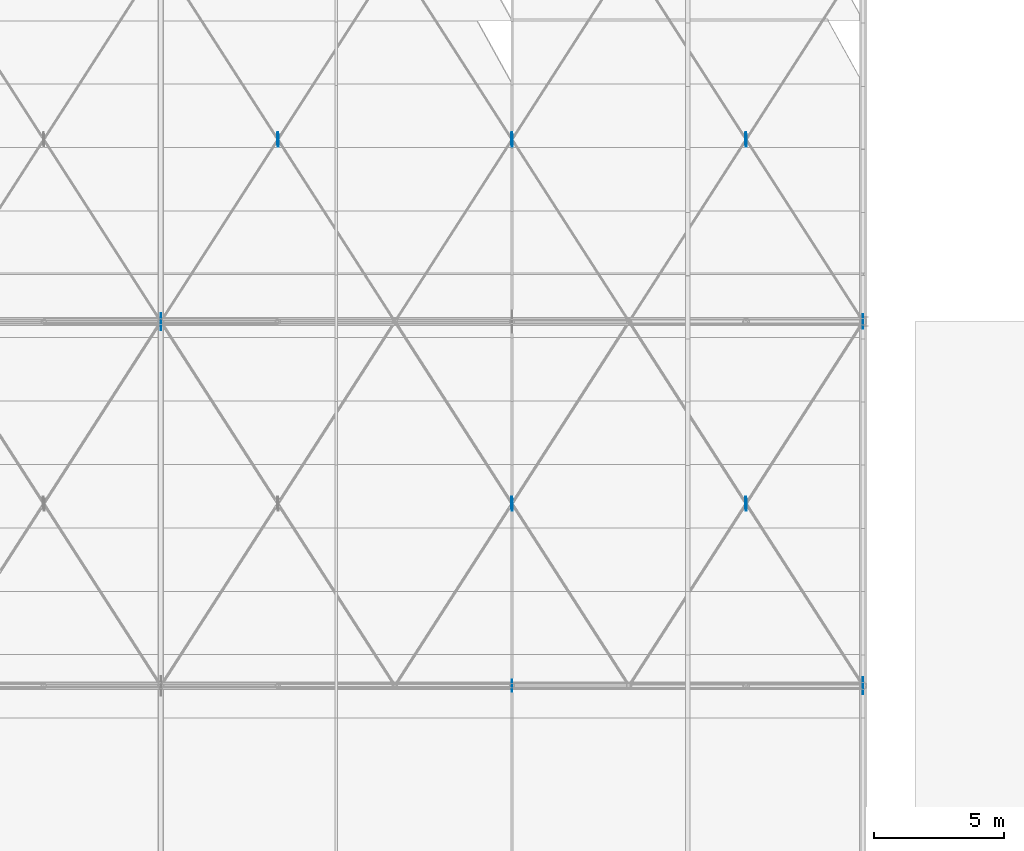
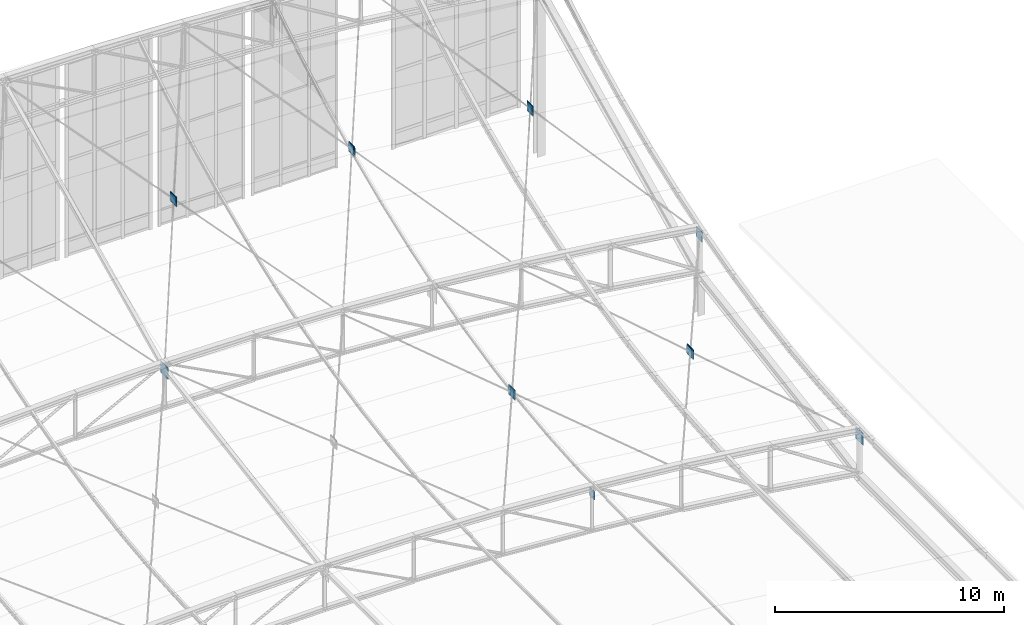
# One storey, part 257 of 262: 19 plates.
"""IFC4 building model written with IfcOpenShell, lengths in metres."""

import ifcopenshell
import ifcopenshell.guid

model = None  # the IFC model being written
_history = None  # IfcOwnerHistory: only IFC2X3 demands one
_inside = {}  # id of a spatial element -> (the spatial element, [elements in it])
_under = {}  # id of a project, library or spatial element -> (it, [spatial elements below it])
_declared = {}  # id of a project -> (the project, [libraries it declares])
_typed = {}  # id of a type object -> (the type object, [elements of that type])
_made_of = {}  # id of a material, layer set ... -> (it, [elements and type objects made of it])


def new_model(schema):
    """Start an empty IFC model of exactly this schema.

    Asked for "IFC4X3", IfcOpenShell would pick the latest addendum, in which some entities
    have other attributes; the version numbers below select the first issue.
    IFC2X3 requires an IfcOwnerHistory on every rooted entity: one is made here for all.
    """
    global model, _history
    if schema == "IFC4X3":
        model = ifcopenshell.file(schema_version=(4, 3, 0, 0))
    else:
        model = ifcopenshell.file(schema=schema)
    _inside.clear()
    _under.clear()
    _declared.clear()
    _typed.clear()
    _made_of.clear()
    _history = None
    if model.schema == "IFC2X3":
        org = make("IfcOrganization", Name="unknown")
        user = make(
            "IfcPersonAndOrganization",
            ThePerson=make("IfcPerson", FamilyName="unknown"),
            TheOrganization=org,
        )
        app = make(
            "IfcApplication",
            ApplicationDeveloper=org,
            Version="unknown",
            ApplicationFullName="unknown",
            ApplicationIdentifier="unknown",
        )
        _history = make(
            "IfcOwnerHistory",
            OwningUser=user,
            OwningApplication=app,
            ChangeAction="ADDED",
            CreationDate=0,
        )
    return model


def make(cls, **values):
    """One entity of the class cls with the attributes given. An attribute that is None is left unset."""
    return model.create_entity(
        cls, **{name: value for name, value in values.items() if value is not None}
    )


def rooted(cls, **values):
    """An entity with a GlobalId (a new one), such as an element, a storey or a relation."""
    return make(cls, GlobalId=ifcopenshell.guid.new(), OwnerHistory=_history, **values)


def si_unit(unit_type, name, prefix=None):
    """IfcSIUnit, for example si_unit("LENGTHUNIT", "METRE", prefix="MILLI")."""
    return make("IfcSIUnit", UnitType=unit_type, Prefix=prefix, Name=name)


def derived_unit(unit_type, elements):
    """IfcDerivedUnit: a product of units, each with its exponent."""
    return make(
        "IfcDerivedUnit",
        Elements=[
            make("IfcDerivedUnitElement", Unit=unit, Exponent=power)
            for unit, power in elements
        ],
        UnitType=unit_type,
    )


def assignment(units):
    """IfcUnitAssignment: the units of a project."""
    return None if units is None else make("IfcUnitAssignment", Units=units)


def point(xyz):
    """IfcCartesianPoint."""
    return None if xyz is None else make("IfcCartesianPoint", Coordinates=xyz)


def direction(xyz):
    """IfcDirection."""
    return None if xyz is None else make("IfcDirection", DirectionRatios=xyz)


def frame(location, z_axis=None, x_axis=None):
    """IfcAxis2Placement3D, a coordinate frame: its origin and axes. An axis left out is left unset."""
    return make(
        "IfcAxis2Placement3D",
        Location=point(location),
        Axis=direction(z_axis),
        RefDirection=direction(x_axis),
    )


def frame_2d(location, x_axis=None):
    """IfcAxis2Placement2D, a coordinate frame in the plane: its origin and x axis."""
    return make(
        "IfcAxis2Placement2D", Location=point(location), RefDirection=direction(x_axis)
    )


def origin():
    """The frame at (0, 0, 0) with its axes left unset."""
    return frame((0.0, 0.0, 0.0))


def origin_2d():
    """The frame at (0, 0) in the plane with its x axis left unset."""
    return frame_2d((0.0, 0.0))


def place(relative_to, where):
    """IfcLocalPlacement: puts the frame where relative to a parent placement (None: the world)."""
    return make(
        "IfcLocalPlacement", PlacementRelTo=relative_to, RelativePlacement=where
    )


def context(
    kind, dimensions, precision=None, world=None, true_north=None, identifier=None
):
    """IfcGeometricRepresentationContext, for example the 3D "Model" context."""
    return make(
        "IfcGeometricRepresentationContext",
        ContextIdentifier=identifier,
        ContextType=kind,
        CoordinateSpaceDimension=dimensions,
        Precision=precision,
        WorldCoordinateSystem=world,
        TrueNorth=true_north,
    )


def subcontext(parent, identifier, kind, view, scale=None):
    """IfcGeometricRepresentationSubContext, for example "Body" below "Model"."""
    return make(
        "IfcGeometricRepresentationSubContext",
        ContextIdentifier=identifier,
        ContextType=kind,
        ParentContext=parent,
        TargetScale=scale,
        TargetView=view,
    )


def project(units=None, contexts=None):
    """IfcProject with its units and contexts."""
    return rooted(
        "IfcProject",
        Name="project",
        RepresentationContexts=contexts,
        UnitsInContext=assignment(units),
    )


def spatial(cls, under=None, at=None, **own):
    """A site, building, storey or space (cls), placed at a placement, below another one or the project."""
    s = rooted(cls, ObjectPlacement=at, **own)
    if under is not None:
        _under.setdefault(under.id(), (under, []))[1].append(s)
    return s


def profile(cls, at=None, kind="AREA", **sizes):
    """A parametric profile (cls). Its sizes go by their IFC names, for example OverallWidth=200.0."""
    return make(cls, ProfileType=kind, Position=at, **sizes)


def rectangle(**sizes):
    """IfcRectangleProfileDef."""
    return profile("IfcRectangleProfileDef", **sizes)


def extrude(swept, where, along, depth):
    """IfcExtrudedAreaSolid: the profile swept, set in the frame where, extruded along a direction by depth."""
    return make(
        "IfcExtrudedAreaSolid",
        SweptArea=swept,
        Position=where,
        ExtrudedDirection=direction(along),
        Depth=depth,
    )


def shape(context_of_items, identifier, shape_type, items):
    """IfcShapeRepresentation: the items that make up one representation, for example the "Body"."""
    return make(
        "IfcShapeRepresentation",
        ContextOfItems=context_of_items,
        RepresentationIdentifier=identifier,
        RepresentationType=shape_type,
        Items=items,
    )


def material(Name=None, Category=None):
    """IfcMaterial."""
    return make("IfcMaterial", Name=Name, Category=Category)


def layer(
    of_material, thickness, ventilated=None, Name=None, Category=None, Priority=None
):
    """IfcMaterialLayer: one layer of a wall or slab, of a material (None: an air gap)."""
    return make(
        "IfcMaterialLayer",
        Material=of_material,
        LayerThickness=thickness,
        IsVentilated=ventilated,
        Name=Name,
        Category=Category,
        Priority=Priority,
    )


def layer_set(layers, Name=None):
    """IfcMaterialLayerSet."""
    return make("IfcMaterialLayerSet", MaterialLayers=layers, LayerSetName=Name)


def made_of(thing, what):
    """Note that an element or type object is made of a material, layer set ...; save() writes the relation."""
    if what is not None:
        _made_of.setdefault(what.id(), (what, []))[1].append(thing)
    return thing


def type_object(cls, material=None, **own):
    """A type object (cls), such as IfcWallType, which elements share."""
    return made_of(rooted(cls, **own), material)


def element(
    cls,
    number,
    at=None,
    inside=None,
    cuts=None,
    type_object=None,
    material=None,
    context=None,
    identifier="Body",
    shape_type=None,
    held_by="IfcProductDefinitionShape",
    body=None,
    shapes=None,
    **own,
):
    """One element of the class cls, such as IfcWall. Its Tag is "e" and its number.

    at: its placement. inside: the storey or other place that contains it. cuts: it is an
    opening in that element (IfcRelVoidsElement). A single representation is given by context,
    identifier, shape_type and body (its items); several are given by shapes. held_by: the class
    of the entity that holds the representations. save() writes the other relations.
    """
    e = rooted(cls, Tag="e%d" % number, ObjectPlacement=at, **own)
    if body is not None:
        shapes = [shape(context, identifier, shape_type, body)]
    if shapes is not None:
        e.Representation = make(held_by, Representations=shapes)
    if inside is not None:
        _inside.setdefault(inside.id(), (inside, []))[1].append(e)
    if cuts is not None:
        rooted(
            "IfcRelVoidsElement", RelatingBuildingElement=cuts, RelatedOpeningElement=e
        )
    if type_object is not None:
        _typed.setdefault(type_object.id(), (type_object, []))[1].append(e)
    return made_of(e, material)


def aggregate(whole, parts):
    """IfcRelAggregates: a whole, such as a stair, and the parts it consists of."""
    return rooted("IfcRelAggregates", RelatingObject=whole, RelatedObjects=parts)


def save(model, path):
    """Write the relations noted so far, then the file.

    IfcRelAggregates (storeys below a building ...), IfcRelContainedInSpatialStructure (elements
    in a storey), IfcRelDefinesByType, IfcRelAssociatesMaterial and IfcRelDeclares: one each for
    every whole, place, type object, material and project.
    """
    for whole, parts in _under.values():
        aggregate(whole, parts)
    for where, things in _inside.values():
        rooted(
            "IfcRelContainedInSpatialStructure",
            RelatedElements=things,
            RelatingStructure=where,
        )
    for kind, things in _typed.values():
        rooted("IfcRelDefinesByType", RelatedObjects=things, RelatingType=kind)
    for what, things in _made_of.values():
        rooted("IfcRelAssociatesMaterial", RelatedObjects=things, RelatingMaterial=what)
    for by, libraries in _declared.values():
        rooted("IfcRelDeclares", RelatingContext=by, RelatedDefinitions=libraries)
    model.write(path)


model = new_model("IFC4")

# Units and contexts
model_context = context("Model", 3, precision=1e-05, world=origin(), true_north=direction((0.0, 1.0)))
body_context = subcontext(model_context, "Body", "Model", "MODEL_VIEW")
ifc_project = project(units=[si_unit("LENGTHUNIT", "METRE"), si_unit("AREAUNIT", "SQUARE_METRE"), si_unit("VOLUMEUNIT", "CUBIC_METRE"), si_unit("PLANEANGLEUNIT", "RADIAN"), si_unit("MASSUNIT", "GRAM", prefix="KILO"), derived_unit("THERMALTRANSMITTANCEUNIT", [(si_unit("POWERUNIT", "WATT"), 1), (si_unit("LENGTHUNIT", "METRE"), -2), (si_unit("THERMODYNAMICTEMPERATUREUNIT", "KELVIN"), -1)])], contexts=[model_context])

# Site, building, storey
site_placement = place(None, origin())
site = spatial("IfcSite", under=ifc_project, at=site_placement, CompositionType="ELEMENT")
building_placement = place(site_placement, origin())
building = spatial("IfcBuilding", under=site, at=building_placement, Name="Almenara Railside Exhibition Hall", CompositionType="ELEMENT")
storey_placement = place(building_placement, frame((0.0, 0.0, 21.699951171875)))
storey = spatial("IfcBuildingStorey", under=building, at=storey_placement, Name="RF", CompositionType="ELEMENT", Elevation=21.699951171875)

# Plates
ifc_material = material(Name="Structural steel S355JR", Category="steel")
ifc_layer_1 = layer(ifc_material, 0.011962890625, Name="Structural steel S355JR")
ifc_layer_set_1 = layer_set([ifc_layer_1], Name="Structural steel S355JR")
plate_type_1 = type_object("IfcPlateType", Name="Truss Node Gusset Plate 12mm S355JR", PredefinedType="USERDEFINED", material=ifc_layer_set_1)
for number, where, z_axis, x_axis, name in (
    (1, (178.5, 104.0, -6.2099609375), (0.0, 0.0, 1.0), (0.0, 1.0, 0.0), "PLT-GUS-0141"),
    (2, (178.523681640625, 110.963134765625, -5.07470703125), (0.0, 0.0, 1.0), (0.0, 1.0, 0.0), "PLT-GUS-0202"),
    (3, (178.476318359375, 111.036865234375, -5.05908203125), (0.0, 0.0, 1.0), (0.0, 1.0, 0.0), "PLT-GUS-0203"),
    (4, (187.5234375, 110.96337890625, -6.0537109375), (0.0, 0.0, 1.0), (0.0, 1.0, 0.0), "PLT-GUS-0205"),
    (5, (187.4765625, 111.03662109375, -6.03564453125), (0.0, 0.0, 1.0), (0.0, 1.0, 0.0), "PLT-GUS-0206"),
    (6, (169.51904296875, 124.970458984375, -0.10009765625), (0.0, 0.0, 1.0), (0.0, 1.0, 0.0), "PLT-GUS-0217"),
    (7, (169.48095703125, 125.029541015625, -0.07080078125), (0.0, 0.0, 1.0), (0.0, 1.0, 0.0), "PLT-GUS-0218"),
    (8, (178.518798828125, 124.970703125, -0.58984375), (0.0, 0.0, 1.0), (0.0, 1.0, 0.0), "PLT-GUS-0220"),
    (9, (178.481201171875, 125.029296875, -0.55859375), (0.0, 0.0, 1.0), (0.0, 1.0, 0.0), "PLT-GUS-0221"),
    (10, (187.5185546875, 124.97119140625, -1.568359375), (0.0, 0.0, 1.0), (0.0, 1.0, 0.0), "PLT-GUS-0223"),
    (11, (187.4814453125, 125.02880859375, -1.53564453125), (0.0, 0.0, 1.0), (0.0, 1.0, 0.0), "PLT-GUS-0224"),
):
    element("IfcPlate", number, at=place(storey_placement, frame(where, z_axis=z_axis, x_axis=x_axis)), inside=storey, type_object=plate_type_1, Name=name, ObjectType="GUSSET_PLATE", PredefinedType="USERDEFINED", context=body_context, shape_type="SweptSolid", body=[
        extrude(rectangle(XDim=0.449951171875, YDim=0.011962890625, at=origin_2d()), origin(), (0.0, 0.0, 1.0), 0.449951171875),
    ])
ifc_layer_2 = layer(ifc_material, 0.01611328125, Name="Structural steel S355JR")
ifc_layer_set_2 = layer_set([ifc_layer_2], Name="Structural steel S355JR")
plate_type_2 = type_object("IfcPlateType", Name="Truss Node Gusset Plate 16mm S355JR", PredefinedType="USERDEFINED", material=ifc_layer_set_2)
for number, where, z_axis, x_axis, name in (
    (12, (192.0, 118.0, -5.6416015625), (0.0, 0.0, 1.0), (0.0, 1.0, 0.0), "PLT-GUS-0147"),
    (13, (178.5, 111.0, -5.1171875), (0.0, 0.0, 1.0), (0.0, 1.0, 0.0), "PLT-GUS-0201"),
    (14, (187.5, 111.0, -6.0947265625), (0.0, 0.0, 1.0), (0.0, 1.0, 0.0), "PLT-GUS-0204"),
    (15, (169.5, 125.0, -0.13525390625), (0.0, 0.0, 1.0), (0.0, 1.0, 0.0), "PLT-GUS-0216"),
    (16, (178.5, 125.0, -0.62451171875), (0.0, 0.0, 1.0), (0.0, 1.0, 0.0), "PLT-GUS-0219"),
    (17, (187.5, 125.0, -1.60205078125), (0.0, 0.0, 1.0), (0.0, 1.0, 0.0), "PLT-GUS-0222"),
):
    element("IfcPlate", number, at=place(storey_placement, frame(where, z_axis=z_axis, x_axis=x_axis)), inside=storey, type_object=plate_type_2, Name=name, ObjectType="GUSSET_PLATE", PredefinedType="USERDEFINED", context=body_context, shape_type="SweptSolid", body=[
        extrude(rectangle(XDim=0.550048828125, YDim=0.01611328125, at=origin_2d()), origin(), (0.0, 0.0, 1.0), 0.550048828125),
    ])
ifc_layer_3 = layer(ifc_material, 0.02001953125, Name="Structural steel S355JR")
ifc_layer_set_3 = layer_set([ifc_layer_3], Name="Structural steel S355JR")
plate_type_3 = type_object("IfcPlateType", Name="Truss Node Gusset Plate 20mm S355JR", PredefinedType="USERDEFINED", material=ifc_layer_set_3)
for number, where, z_axis, x_axis, name in (
    (18, (192.0, 104.0, -7.960205078125), (0.0, 0.0, 1.0), (0.0, 1.0, 0.0), "PLT-GUS-0142"),
    (19, (165.0, 118.0, -3.491455078125), (0.0, 0.0, 1.0), (0.0, 1.0, 0.0), "PLT-GUS-0145"),
):
    element("IfcPlate", number, at=place(storey_placement, frame(where, z_axis=z_axis, x_axis=x_axis)), inside=storey, type_object=plate_type_3, Name=name, ObjectType="GUSSET_PLATE", PredefinedType="USERDEFINED", context=body_context, shape_type="SweptSolid", body=[
        extrude(rectangle(XDim=0.64990234375, YDim=0.02001953125, at=origin_2d()), origin(), (0.0, 0.0, 1.0), 0.64990234375),
    ])

save(model, "model.ifc")
